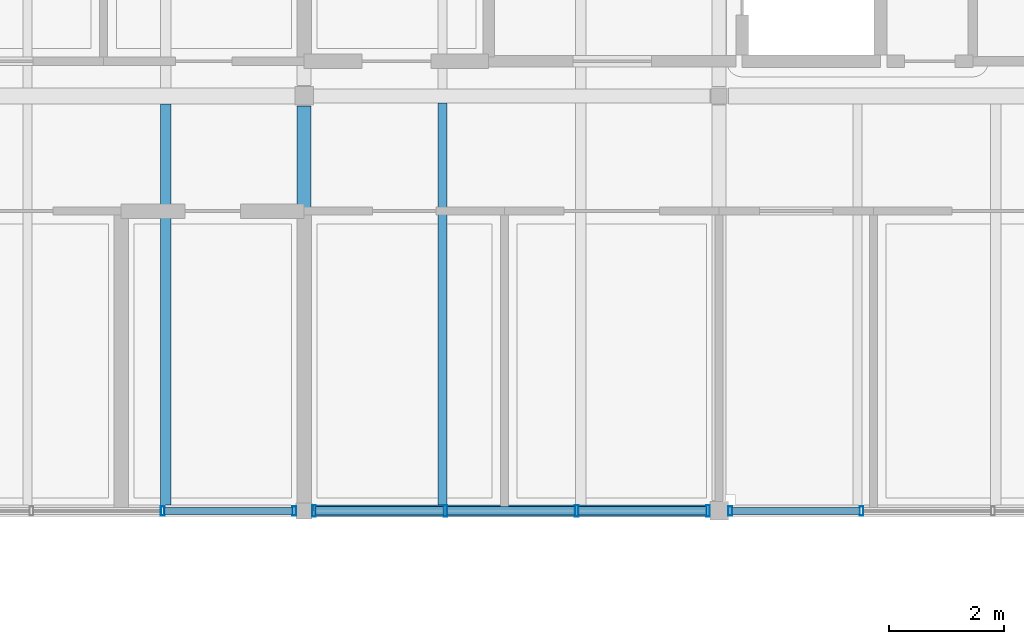
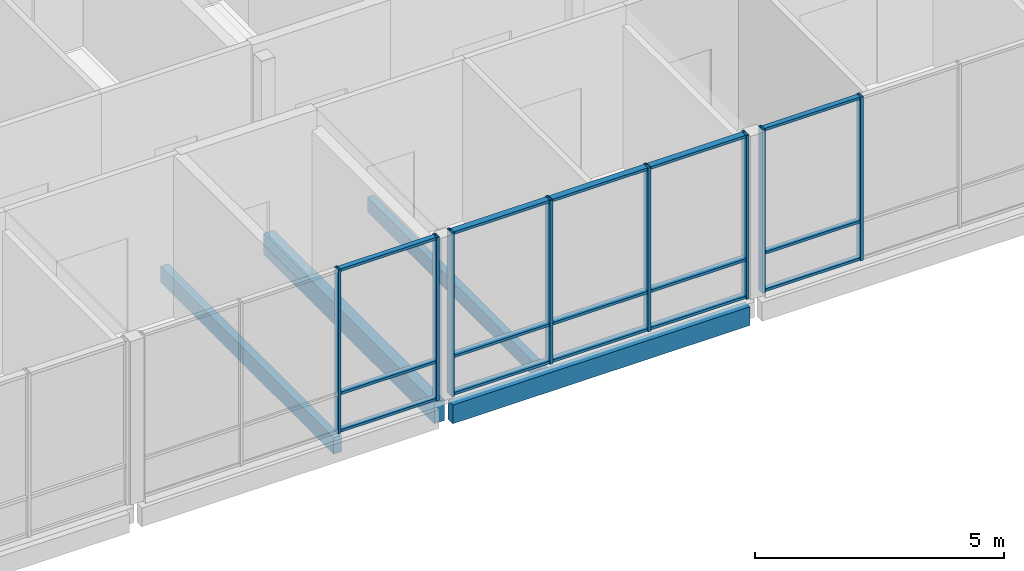
# One storey, part 16 of 57: 23 members, 4 beams, 3 elements without a shape of their own.
"""IFC4 building model written with IfcOpenShell, lengths in metres."""

from ifc_helpers import new_model, si_unit, direction, frame, origin, origin_2d, place, context, subcontext, project, spatial, rectangle, hollow_rectangle, extrude, material, material_profile, profile_set, type_object, element, aggregate, save


model = new_model("IFC4")

# Units and contexts
model_context = context("Model", 3, precision=1e-05, world=origin(), true_north=direction((0.0, 1.0)))
body_context = subcontext(model_context, "Body", "Model", "MODEL_VIEW")
ifc_project = project(units=[si_unit("LENGTHUNIT", "METRE"), si_unit("AREAUNIT", "SQUARE_METRE"), si_unit("VOLUMEUNIT", "CUBIC_METRE"), si_unit("PLANEANGLEUNIT", "RADIAN"), si_unit("MASSUNIT", "GRAM", prefix="KILO")], contexts=[model_context])

# Site, building, storey
site_placement = place(None, origin())
site = spatial("IfcSite", under=ifc_project, at=site_placement, CompositionType="ELEMENT")
building_placement = place(site_placement, origin())
building = spatial("IfcBuilding", under=site, at=building_placement, Name="Hawrajan Terrace Health Centre", CompositionType="ELEMENT")
storey_placement = place(building_placement, frame((0.0, 0.0, 13.199951171875)))
storey = spatial("IfcBuildingStorey", under=building, at=storey_placement, Name="L03", CompositionType="ELEMENT", Elevation=13.199951171875)

# Curtain wall, members
ifc_material_1 = material(Name="Anodized bronze aluminium and low-E solar glazing", Category="aluminium")
curtain_wall_type_1 = type_object("IfcCurtainWallType", Name="CW_Clerestory_SeriesG3", PredefinedType="USERDEFINED", material=ifc_material_1)
curtain_wall_1_placement = place(storey_placement, origin())
curtain_wall_1 = element("IfcCurtainWall", 1, at=curtain_wall_1_placement, inside=storey, type_object=curtain_wall_type_1, Name="Curtain wall CW-L03-162", ObjectType="UNITISED CURTAIN WALL", PredefinedType="USERDEFINED")
ifc_material_2 = material(Name="Anodized bronze aluminium 6063-T6", Category="aluminium")
ifc_material_profile_1 = material_profile(ifc_material_2, hollow_rectangle(XDim=0.06494140625, YDim=0.159912109375, WallThickness=0.00390625, at=origin_2d()), Name="CW MUL 65x160")
ifc_profile_set_1 = profile_set([ifc_material_profile_1], Name="Anodized bronze aluminium 6063-T6")
member_type_1 = type_object("IfcMemberType", Name="CWMullion_65x160", PredefinedType="MULLION", material=ifc_profile_set_1)
member_1_placement = place(storey_placement, frame((38.149169921875, 45.39990234375, -0.0048828125), z_axis=(0.0, 0.0, 1.0), x_axis=(1.0, 0.0, 0.0)))
member_1 = element("IfcMember", 2, at=member_1_placement, type_object=member_type_1, Name="Mullion CW-L03-162-M3", PredefinedType="MULLION", context=body_context, shape_type="SweptSolid", body=[
    extrude(hollow_rectangle(XDim=0.06494140625, YDim=0.159912109375, WallThickness=0.00390625, at=origin_2d()), origin(), (0.0, 0.0, 1.0), 4.02001953125),
])
member_2_placement = place(storey_placement, frame((40.427490234375, 45.39990234375, -0.0048828125), z_axis=(0.0, 0.0, 1.0), x_axis=(1.0, 0.0, 0.0)))
member_2 = element("IfcMember", 3, at=member_2_placement, type_object=member_type_1, Name="Mullion CW-L03-162-M4", PredefinedType="MULLION", context=body_context, shape_type="SweptSolid", body=[
    extrude(hollow_rectangle(XDim=0.06494140625, YDim=0.159912109375, WallThickness=0.00390625, at=origin_2d()), origin(), (0.0, 0.0, 1.0), 4.02001953125),
])

curtain_wall_type_2 = type_object("IfcCurtainWallType", Name="CW_Terrace_SeriesK1", PredefinedType="USERDEFINED", material=ifc_material_1)
curtain_wall_2_placement = place(storey_placement, origin())
curtain_wall_2 = element("IfcCurtainWall", 4, at=curtain_wall_2_placement, inside=storey, type_object=curtain_wall_type_2, Name="Curtain wall CW-L03-165", ObjectType="UNITISED CURTAIN WALL", PredefinedType="USERDEFINED")
member_3_placement = place(storey_placement, frame((47.992431640625, 45.39990234375, -0.0048828125), z_axis=(0.0, 0.0, 1.0), x_axis=(1.0, 0.0, 0.0)))
member_3 = element("IfcMember", 5, at=member_3_placement, type_object=member_type_1, Name="Mullion CW-L03-165-M1", PredefinedType="MULLION", context=body_context, shape_type="SweptSolid", body=[
    extrude(hollow_rectangle(XDim=0.06494140625, YDim=0.159912109375, WallThickness=0.00390625, at=origin_2d()), origin(), (0.0, 0.0, 1.0), 4.02001953125),
])
member_4_placement = place(storey_placement, frame((50.270751953125, 45.39990234375, -0.0048828125), z_axis=(0.0, 0.0, 1.0), x_axis=(1.0, 0.0, 0.0)))
member_4 = element("IfcMember", 6, at=member_4_placement, type_object=member_type_1, Name="Mullion CW-L03-165-M2", PredefinedType="MULLION", context=body_context, shape_type="SweptSolid", body=[
    extrude(hollow_rectangle(XDim=0.06494140625, YDim=0.159912109375, WallThickness=0.00390625, at=origin_2d()), origin(), (0.0, 0.0, 1.0), 4.02001953125),
])

curtain_wall_type_3 = type_object("IfcCurtainWallType", Name="CW_Vestibule_SeriesH1", PredefinedType="USERDEFINED", material=ifc_material_1)
curtain_wall_3_placement = place(storey_placement, origin())
curtain_wall_3 = element("IfcCurtainWall", 7, at=curtain_wall_3_placement, inside=storey, type_object=curtain_wall_type_3, Name="Curtain wall CW-L03-163", ObjectType="UNITISED CURTAIN WALL", PredefinedType="USERDEFINED")
ifc_material_profile_2 = material_profile(ifc_material_2, hollow_rectangle(XDim=0.06494140625, YDim=0.199951171875, WallThickness=0.00439453125, at=origin_2d()), Name="CW MUL 65x200")
ifc_profile_set_2 = profile_set([ifc_material_profile_2], Name="Anodized bronze aluminium 6063-T6")
member_type_2 = type_object("IfcMemberType", Name="CWMullion_65x200", PredefinedType="MULLION", material=ifc_profile_set_2)
member_5_placement = place(storey_placement, frame((40.7724609375, 45.39990234375, -0.0048828125), z_axis=(0.0, 0.0, 1.0), x_axis=(1.0, 0.0, 0.0)))
member_5 = element("IfcMember", 8, at=member_5_placement, type_object=member_type_2, Name="Mullion CW-L03-163-M1", PredefinedType="MULLION", context=body_context, shape_type="SweptSolid", body=[
    extrude(hollow_rectangle(XDim=0.06494140625, YDim=0.199951171875, WallThickness=0.00439453125, at=origin_2d()), origin(), (0.0, 0.0, 1.0), 4.02001953125),
])
member_6_placement = place(storey_placement, frame((43.05078125, 45.39990234375, -0.0048828125), z_axis=(0.0, 0.0, 1.0), x_axis=(1.0, 0.0, 0.0)))
member_6 = element("IfcMember", 9, at=member_6_placement, type_object=member_type_2, Name="Mullion CW-L03-163-M2", PredefinedType="MULLION", context=body_context, shape_type="SweptSolid", body=[
    extrude(hollow_rectangle(XDim=0.06494140625, YDim=0.199951171875, WallThickness=0.00439453125, at=origin_2d()), origin(), (0.0, 0.0, 1.0), 4.02001953125),
])
member_7_placement = place(storey_placement, frame((45.3291015625, 45.39990234375, -0.0048828125), z_axis=(0.0, 0.0, 1.0), x_axis=(1.0, 0.0, 0.0)))
member_7 = element("IfcMember", 10, at=member_7_placement, type_object=member_type_2, Name="Mullion CW-L03-163-M3", PredefinedType="MULLION", context=body_context, shape_type="SweptSolid", body=[
    extrude(hollow_rectangle(XDim=0.06494140625, YDim=0.199951171875, WallThickness=0.00439453125, at=origin_2d()), origin(), (0.0, 0.0, 1.0), 4.02001953125),
])
member_8_placement = place(storey_placement, frame((47.607421875, 45.39990234375, -0.0048828125), z_axis=(0.0, 0.0, 1.0), x_axis=(1.0, 0.0, 0.0)))
member_8 = element("IfcMember", 11, at=member_8_placement, type_object=member_type_2, Name="Mullion CW-L03-163-M4", PredefinedType="MULLION", context=body_context, shape_type="SweptSolid", body=[
    extrude(hollow_rectangle(XDim=0.06494140625, YDim=0.199951171875, WallThickness=0.00439453125, at=origin_2d()), origin(), (0.0, 0.0, 1.0), 4.02001953125),
])

# Member
ifc_material_profile_3 = material_profile(ifc_material_2, hollow_rectangle(XDim=0.06494140625, YDim=0.1201171875, WallThickness=0.00341796875, at=origin_2d()), Name="CW TRN 65x120")
ifc_profile_set_3 = profile_set([ifc_material_profile_3], Name="Anodized bronze aluminium 6063-T6")
member_type_3 = type_object("IfcMemberType", Name="CWTransom_65x120", PredefinedType="USERDEFINED", material=ifc_profile_set_3)
member_9_placement = place(storey_placement, frame((38.17578125, 45.39990234375, 0.032470703125), z_axis=(1.0, 0.0, 0.0), x_axis=(0.0, 0.0, 1.0)))
member_9 = element("IfcMember", 12, at=member_9_placement, type_object=member_type_3, Name="Transom CW-L03-162-T3-1", ObjectType="TRANSOM", PredefinedType="USERDEFINED", context=body_context, shape_type="SweptSolid", body=[
    extrude(hollow_rectangle(XDim=0.06494140625, YDim=0.1201171875, WallThickness=0.00341796875, at=origin_2d()), origin(), (0.0, 0.0, 1.0), 2.22509765625),
])

member_10_placement = place(storey_placement, frame((38.17578125, 45.39990234375, 0.949951171875), z_axis=(1.0, 0.0, 0.0), x_axis=(0.0, 0.0, 1.0)))
member_10 = element("IfcMember", 13, at=member_10_placement, type_object=member_type_3, Name="Transom CW-L03-162-T3-2", ObjectType="TRANSOM", PredefinedType="USERDEFINED", context=body_context, shape_type="SweptSolid", body=[
    extrude(hollow_rectangle(XDim=0.06494140625, YDim=0.1201171875, WallThickness=0.00341796875, at=origin_2d()), origin(), (0.0, 0.0, 1.0), 2.22509765625),
])

member_11_placement = place(storey_placement, frame((38.17578125, 45.39990234375, 3.9775390625), z_axis=(1.0, 0.0, 0.0), x_axis=(0.0, 0.0, 1.0)))
member_11 = element("IfcMember", 14, at=member_11_placement, type_object=member_type_3, Name="Transom CW-L03-162-T3-3", ObjectType="TRANSOM", PredefinedType="USERDEFINED", context=body_context, shape_type="SweptSolid", body=[
    extrude(hollow_rectangle(XDim=0.06494140625, YDim=0.1201171875, WallThickness=0.00341796875, at=origin_2d()), origin(), (0.0, 0.0, 1.0), 2.22509765625),
])

aggregate(curtain_wall_1, [member_1, member_2, member_9, member_10, member_11])

member_12_placement = place(storey_placement, frame((48.01904296875, 45.39990234375, 0.032470703125), z_axis=(1.0, 0.0, 0.0), x_axis=(0.0, 0.0, 1.0)))
member_12 = element("IfcMember", 15, at=member_12_placement, type_object=member_type_3, Name="Transom CW-L03-165-T1-1", ObjectType="TRANSOM", PredefinedType="USERDEFINED", context=body_context, shape_type="SweptSolid", body=[
    extrude(hollow_rectangle(XDim=0.06494140625, YDim=0.1201171875, WallThickness=0.00341796875, at=origin_2d()), origin(), (0.0, 0.0, 1.0), 2.225341796875),
])

member_13_placement = place(storey_placement, frame((48.01904296875, 45.39990234375, 0.949951171875), z_axis=(1.0, 0.0, 0.0), x_axis=(0.0, 0.0, 1.0)))
member_13 = element("IfcMember", 16, at=member_13_placement, type_object=member_type_3, Name="Transom CW-L03-165-T1-2", ObjectType="TRANSOM", PredefinedType="USERDEFINED", context=body_context, shape_type="SweptSolid", body=[
    extrude(hollow_rectangle(XDim=0.06494140625, YDim=0.1201171875, WallThickness=0.00341796875, at=origin_2d()), origin(), (0.0, 0.0, 1.0), 2.225341796875),
])

member_14_placement = place(storey_placement, frame((48.01904296875, 45.39990234375, 3.9775390625), z_axis=(1.0, 0.0, 0.0), x_axis=(0.0, 0.0, 1.0)))
member_14 = element("IfcMember", 17, at=member_14_placement, type_object=member_type_3, Name="Transom CW-L03-165-T1-3", ObjectType="TRANSOM", PredefinedType="USERDEFINED", context=body_context, shape_type="SweptSolid", body=[
    extrude(hollow_rectangle(XDim=0.06494140625, YDim=0.1201171875, WallThickness=0.00341796875, at=origin_2d()), origin(), (0.0, 0.0, 1.0), 2.225341796875),
])

aggregate(curtain_wall_2, [member_3, member_4, member_12, member_13, member_14])

ifc_material_profile_4 = material_profile(ifc_material_2, hollow_rectangle(XDim=0.06494140625, YDim=0.14990234375, WallThickness=0.00390625, at=origin_2d()), Name="CW TRN 65x150")
ifc_profile_set_4 = profile_set([ifc_material_profile_4], Name="Anodized bronze aluminium 6063-T6")
member_type_4 = type_object("IfcMemberType", Name="CWTransom_65x150", PredefinedType="USERDEFINED", material=ifc_profile_set_4)
member_15_placement = place(storey_placement, frame((40.799072265625, 45.39990234375, 0.032470703125), z_axis=(1.0, 0.0, 0.0), x_axis=(0.0, 0.0, 1.0)))
member_15 = element("IfcMember", 18, at=member_15_placement, type_object=member_type_4, Name="Transom CW-L03-163-T1-1", ObjectType="TRANSOM", PredefinedType="USERDEFINED", context=body_context, shape_type="SweptSolid", body=[
    extrude(hollow_rectangle(XDim=0.06494140625, YDim=0.14990234375, WallThickness=0.00390625, at=origin_2d()), origin(), (0.0, 0.0, 1.0), 2.225341796875),
])

member_16_placement = place(storey_placement, frame((40.799072265625, 45.39990234375, 0.949951171875), z_axis=(1.0, 0.0, 0.0), x_axis=(0.0, 0.0, 1.0)))
member_16 = element("IfcMember", 19, at=member_16_placement, type_object=member_type_4, Name="Transom CW-L03-163-T1-2", ObjectType="TRANSOM", PredefinedType="USERDEFINED", context=body_context, shape_type="SweptSolid", body=[
    extrude(hollow_rectangle(XDim=0.06494140625, YDim=0.14990234375, WallThickness=0.00390625, at=origin_2d()), origin(), (0.0, 0.0, 1.0), 2.225341796875),
])

member_17_placement = place(storey_placement, frame((40.799072265625, 45.39990234375, 3.9775390625), z_axis=(1.0, 0.0, 0.0), x_axis=(0.0, 0.0, 1.0)))
member_17 = element("IfcMember", 20, at=member_17_placement, type_object=member_type_4, Name="Transom CW-L03-163-T1-3", ObjectType="TRANSOM", PredefinedType="USERDEFINED", context=body_context, shape_type="SweptSolid", body=[
    extrude(hollow_rectangle(XDim=0.06494140625, YDim=0.14990234375, WallThickness=0.00390625, at=origin_2d()), origin(), (0.0, 0.0, 1.0), 2.225341796875),
])

member_18_placement = place(storey_placement, frame((43.077392578125, 45.39990234375, 0.032470703125), z_axis=(1.0, 0.0, 0.0), x_axis=(0.0, 0.0, 1.0)))
member_18 = element("IfcMember", 21, at=member_18_placement, type_object=member_type_4, Name="Transom CW-L03-163-T2-1", ObjectType="TRANSOM", PredefinedType="USERDEFINED", context=body_context, shape_type="SweptSolid", body=[
    extrude(hollow_rectangle(XDim=0.06494140625, YDim=0.14990234375, WallThickness=0.00390625, at=origin_2d()), origin(), (0.0, 0.0, 1.0), 2.225341796875),
])

member_19_placement = place(storey_placement, frame((43.077392578125, 45.39990234375, 0.949951171875), z_axis=(1.0, 0.0, 0.0), x_axis=(0.0, 0.0, 1.0)))
member_19 = element("IfcMember", 22, at=member_19_placement, type_object=member_type_4, Name="Transom CW-L03-163-T2-2", ObjectType="TRANSOM", PredefinedType="USERDEFINED", context=body_context, shape_type="SweptSolid", body=[
    extrude(hollow_rectangle(XDim=0.06494140625, YDim=0.14990234375, WallThickness=0.00390625, at=origin_2d()), origin(), (0.0, 0.0, 1.0), 2.225341796875),
])

member_20_placement = place(storey_placement, frame((43.077392578125, 45.39990234375, 3.9775390625), z_axis=(1.0, 0.0, 0.0), x_axis=(0.0, 0.0, 1.0)))
member_20 = element("IfcMember", 23, at=member_20_placement, type_object=member_type_4, Name="Transom CW-L03-163-T2-3", ObjectType="TRANSOM", PredefinedType="USERDEFINED", context=body_context, shape_type="SweptSolid", body=[
    extrude(hollow_rectangle(XDim=0.06494140625, YDim=0.14990234375, WallThickness=0.00390625, at=origin_2d()), origin(), (0.0, 0.0, 1.0), 2.225341796875),
])

member_21_placement = place(storey_placement, frame((45.355712890625, 45.39990234375, 0.032470703125), z_axis=(1.0, 0.0, 0.0), x_axis=(0.0, 0.0, 1.0)))
member_21 = element("IfcMember", 24, at=member_21_placement, type_object=member_type_4, Name="Transom CW-L03-163-T3-1", ObjectType="TRANSOM", PredefinedType="USERDEFINED", context=body_context, shape_type="SweptSolid", body=[
    extrude(hollow_rectangle(XDim=0.06494140625, YDim=0.14990234375, WallThickness=0.00390625, at=origin_2d()), origin(), (0.0, 0.0, 1.0), 2.225341796875),
])

member_22_placement = place(storey_placement, frame((45.355712890625, 45.39990234375, 0.949951171875), z_axis=(1.0, 0.0, 0.0), x_axis=(0.0, 0.0, 1.0)))
member_22 = element("IfcMember", 25, at=member_22_placement, type_object=member_type_4, Name="Transom CW-L03-163-T3-2", ObjectType="TRANSOM", PredefinedType="USERDEFINED", context=body_context, shape_type="SweptSolid", body=[
    extrude(hollow_rectangle(XDim=0.06494140625, YDim=0.14990234375, WallThickness=0.00390625, at=origin_2d()), origin(), (0.0, 0.0, 1.0), 2.225341796875),
])

member_23_placement = place(storey_placement, frame((45.355712890625, 45.39990234375, 3.9775390625), z_axis=(1.0, 0.0, 0.0), x_axis=(0.0, 0.0, 1.0)))
member_23 = element("IfcMember", 26, at=member_23_placement, type_object=member_type_4, Name="Transom CW-L03-163-T3-3", ObjectType="TRANSOM", PredefinedType="USERDEFINED", context=body_context, shape_type="SweptSolid", body=[
    extrude(hollow_rectangle(XDim=0.06494140625, YDim=0.14990234375, WallThickness=0.00390625, at=origin_2d()), origin(), (0.0, 0.0, 1.0), 2.225341796875),
])

aggregate(curtain_wall_3, [member_5, member_6, member_7, member_8, member_15, member_16, member_17, member_18, member_19, member_20, member_21, member_22, member_23])

# Beams
ifc_material_3 = material(Name="Glulam GL32h", Category="wood")
ifc_material_profile_5 = material_profile(ifc_material_3, rectangle(XDim=0.239990234375, YDim=0.52001953125, at=origin_2d()), Name="GL BM 240x520")
ifc_profile_set_5 = profile_set([ifc_material_profile_5], Name="Glulam GL32h")
beam_type_1 = type_object("IfcBeamType", Name="GlulamGirder_240x520", PredefinedType="BEAM", material=ifc_profile_set_5)
beam_1_placement = place(storey_placement, frame((40.60009765625, 45.56005859375, -0.469970703125), z_axis=(0.0, 1.0, 0.0), x_axis=(-1.0, 0.0, 0.0)))
element("IfcBeam", 27, at=beam_1_placement, inside=storey, type_object=beam_type_1, Name="Beam BM-Y-L03-W-X06-6", PredefinedType="BEAM", context=body_context, shape_type="SweptSolid", body=[
    extrude(rectangle(XDim=0.239990234375, YDim=0.52001953125, at=origin_2d()), origin(), (0.0, 0.0, 1.0), 6.85986328125),
])
ifc_material_4 = material(Name="Glulam GL28h", Category="wood")
ifc_material_profile_6 = material_profile(ifc_material_4, rectangle(XDim=0.159912109375, YDim=0.360107421875, at=origin_2d()), Name="GL JST 160x360")
ifc_profile_set_6 = profile_set([ifc_material_profile_6], Name="Glulam GL28h")
beam_type_2 = type_object("IfcBeamType", Name="GlulamJoist_160x360", PredefinedType="JOIST", material=ifc_profile_set_6)
beam_2_placement = place(storey_placement, frame((43.0, 45.5, -0.389892578125), z_axis=(0.0, 1.0, 0.0), x_axis=(-1.0, 0.0, 0.0)))
element("IfcBeam", 28, at=beam_2_placement, inside=storey, type_object=beam_type_2, Name="Secondary joist JST-L03-W-06-6-1", PredefinedType="JOIST", context=body_context, shape_type="SweptSolid", body=[
    extrude(rectangle(XDim=0.159912109375, YDim=0.360107421875, at=origin_2d()), origin(), (0.0, 0.0, 1.0), 6.97998046875),
])
ifc_material_profile_7 = material_profile(ifc_material_4, rectangle(XDim=0.179931640625, YDim=0.39990234375, at=origin_2d()), Name="GL JST 180x400")
ifc_profile_set_7 = profile_set([ifc_material_profile_7], Name="Glulam GL28h")
beam_type_3 = type_object("IfcBeamType", Name="GlulamJoist_180x400", PredefinedType="JOIST", material=ifc_profile_set_7)
beam_3_placement = place(storey_placement, frame((38.199951171875, 45.5, -0.409912109375), z_axis=(0.0, 1.0, 0.0), x_axis=(-1.0, 0.0, 0.0)))
element("IfcBeam", 29, at=beam_3_placement, inside=storey, type_object=beam_type_3, Name="Secondary joist JST-L03-W-05-6-2", PredefinedType="JOIST", context=body_context, shape_type="SweptSolid", body=[
    extrude(rectangle(XDim=0.179931640625, YDim=0.39990234375, at=origin_2d()), origin(), (0.0, 0.0, 1.0), 6.9599609375),
])
ifc_material_profile_8 = material_profile(ifc_material_3, rectangle(XDim=0.199951171875, YDim=0.4599609375, at=origin_2d()), Name="GL SP 200x460")
ifc_profile_set_8 = profile_set([ifc_material_profile_8], Name="Glulam GL32h")
beam_type_4 = type_object("IfcBeamType", Name="GlulamSpandrel_200x460", PredefinedType="SPANDREL", material=ifc_profile_set_8)
beam_4_placement = place(storey_placement, frame((40.760009765625, 45.39990234375, -0.43994140625), z_axis=(1.0, 0.0, 0.0), x_axis=(0.0, 1.0, 0.0)))
element("IfcBeam", 30, at=beam_4_placement, inside=storey, type_object=beam_type_4, Name="Beam BM-X-L03-W-06-Y6", PredefinedType="SPANDREL", context=body_context, shape_type="SweptSolid", body=[
    extrude(rectangle(XDim=0.199951171875, YDim=0.4599609375, at=origin_2d()), origin(), (0.0, 0.0, 1.0), 6.89990234375),
])

save(model, "model.ifc")
